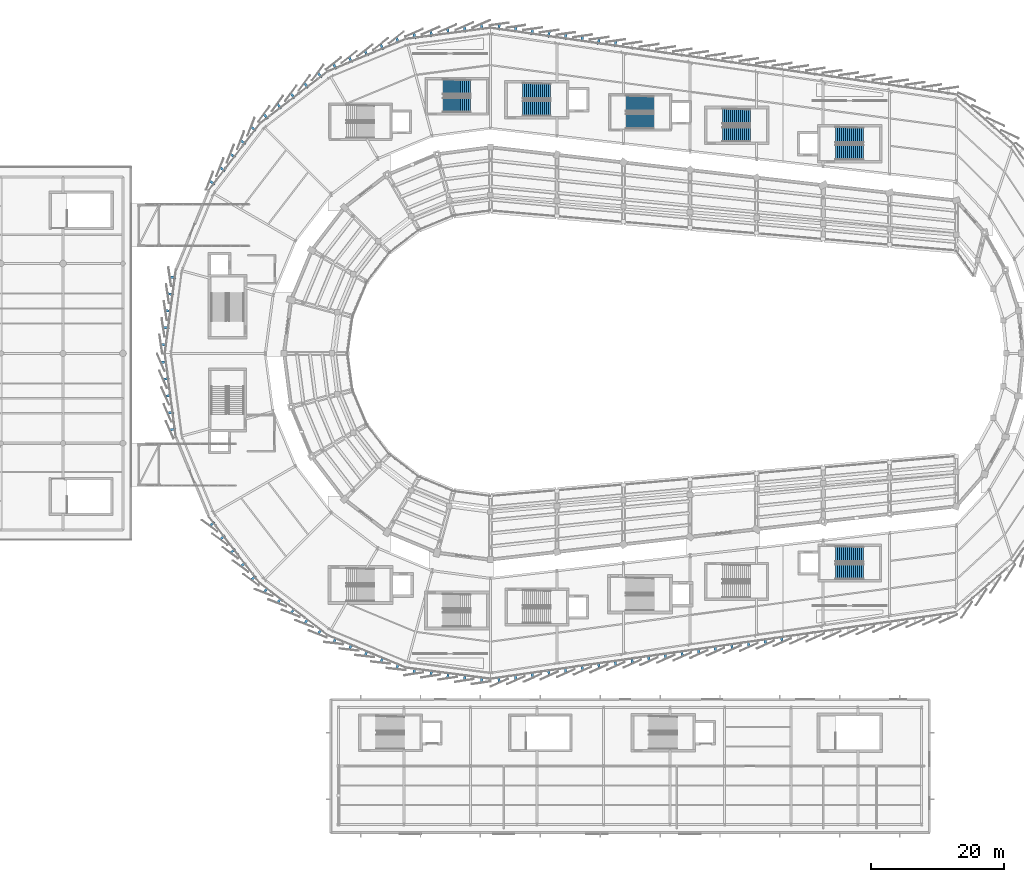
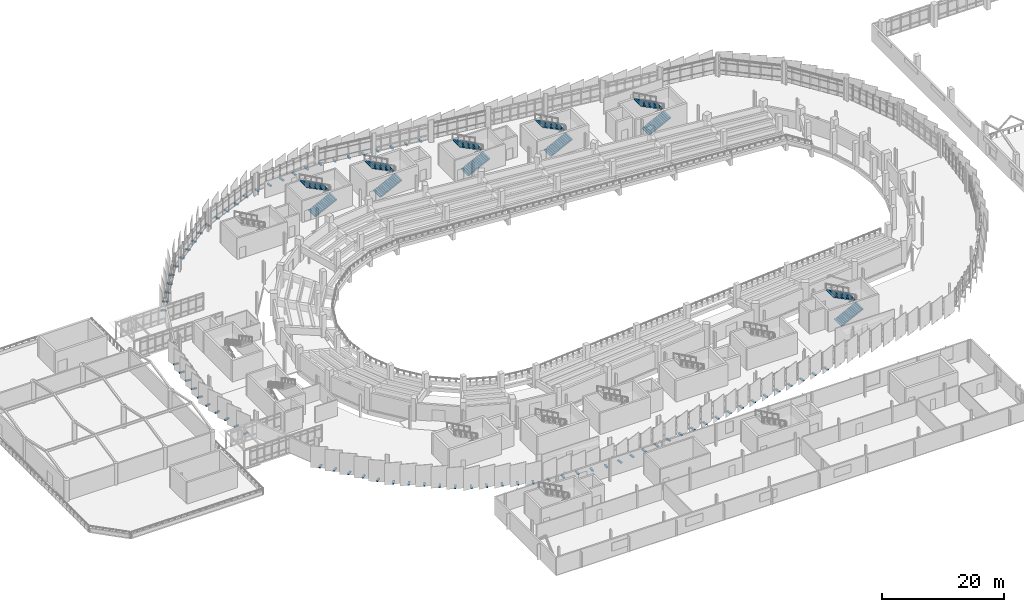
# One storey, part 108 of 120: 76 discrete accessories, 12 stair flights, 6 elements without a shape of their own.
"""IFC4 building model written with IfcOpenShell, lengths in metres."""

from ifc_helpers import new_model, si_unit, direction, frame, origin, origin_2d, place, context, subcontext, project, spatial, polyline, rectangle, outline, extrude, material, type_object, element, aggregate, save


model = new_model("IFC4")

# Units and contexts
model_context = context("Model", 3, precision=1e-05, world=origin(), true_north=direction((0.0, 1.0)))
body_context = subcontext(model_context, "Body", "Model", "MODEL_VIEW")
ifc_project = project(units=[si_unit("LENGTHUNIT", "METRE"), si_unit("AREAUNIT", "SQUARE_METRE"), si_unit("VOLUMEUNIT", "CUBIC_METRE"), si_unit("PLANEANGLEUNIT", "RADIAN"), si_unit("MASSUNIT", "GRAM", prefix="KILO")], contexts=[model_context])

# Site, building, storey
site_placement = place(None, origin())
site = spatial("IfcSite", under=ifc_project, at=site_placement, CompositionType="ELEMENT")
building_placement = place(site_placement, origin())
building = spatial("IfcBuilding", under=site, at=building_placement, Name="Sohan Crest Arena", CompositionType="ELEMENT")
storey_placement = place(building_placement, frame((0.0, 0.0, 13.5)))
storey = spatial("IfcBuildingStorey", under=building, at=storey_placement, Name="L03", CompositionType="ELEMENT", Elevation=13.5)

# Stair, stair flights
ifc_material_1 = material(Name="Concrete C40/50", Category="concrete")
stair_type_1 = type_object("IfcStairType", Name="ST-450W", PredefinedType="TWO_STRAIGHT_RUN_STAIR", material=ifc_material_1)
stair_1_placement = place(storey_placement, origin())
stair_1 = element("IfcStair", 1, at=stair_1_placement, inside=storey, type_object=stair_type_1, Name="Protected exit stair ST20-L03", PredefinedType="TWO_STRAIGHT_RUN_STAIR")
stair_flight_type_1 = type_object("IfcStairFlightType", Name="FL-220-15", PredefinedType="STRAIGHT", material=ifc_material_1)
stair_flight_1_placement = place(storey_placement, frame((90.85009765625, 115.2900390625, 0.0), z_axis=(0.0, 0.0, 1.0), x_axis=(1.0, 0.0, 0.0)))
stair_flight_1 = element("IfcStairFlight", 2, at=stair_flight_1_placement, type_object=stair_flight_type_1, Name="ST20-L03 flight 1", NumberOfRisers=15, NumberOfTreads=14, PredefinedType="STRAIGHT", RiserHeight=0.15, TreadLength=0.3, context=body_context, shape_type="SweptSolid", body=[
    extrude(outline(polyline([(0.0, 0.0), (0.0, 0.14990234375), (0.300048828125, 0.14990234375), (0.300048828125, 0.300048828125), (0.60009765625, 0.300048828125), (0.60009765625, 0.449951171875), (0.89990234375, 0.449951171875), (0.89990234375, 0.60009765625), (1.199951171875, 0.60009765625), (1.199951171875, 0.75), (1.5, 0.75), (1.5, 0.89990234375), (1.800048828125, 0.89990234375), (1.800048828125, 1.050048828125), (2.10009765625, 1.050048828125), (2.10009765625, 1.199951171875), (2.39990234375, 1.199951171875), (2.39990234375, 1.35009765625), (2.699951171875, 1.35009765625), (2.699951171875, 1.5), (3.0, 1.5), (3.0, 1.64990234375), (3.300048828125, 1.64990234375), (3.300048828125, 1.800048828125), (3.60009765625, 1.800048828125), (3.60009765625, 1.949951171875), (3.89990234375, 1.949951171875), (3.89990234375, 2.10009765625), (4.199951171875, 2.10009765625), (4.199951171875, 2.25), (4.199951171875, 1.932373046875), (0.335205078125, 0.0), (0.0, 0.0)])), frame((0.0, 1.10009765625, 0.0), z_axis=(0.0, -1.0, 0.0), x_axis=(1.0, 0.0, 0.0)), (0.0, 0.0, 1.0), 2.199951171875),
])
stair_flight_2_placement = place(storey_placement, frame((95.050048828125, 117.989990234375, 2.25), z_axis=(0.0, 0.0, 1.0), x_axis=(-1.0, 0.0, 0.0)))
stair_flight_2 = element("IfcStairFlight", 3, at=stair_flight_2_placement, type_object=stair_flight_type_1, Name="ST20-L03 flight 2", NumberOfRisers=15, NumberOfTreads=14, PredefinedType="STRAIGHT", RiserHeight=0.15, TreadLength=0.3, context=body_context, shape_type="SweptSolid", body=[
    extrude(outline(polyline([(0.0, 0.0), (0.0, 0.14990234375), (0.300048828125, 0.14990234375), (0.300048828125, 0.300048828125), (0.60009765625, 0.300048828125), (0.60009765625, 0.449951171875), (0.89990234375, 0.449951171875), (0.89990234375, 0.60009765625), (1.199951171875, 0.60009765625), (1.199951171875, 0.75), (1.5, 0.75), (1.5, 0.89990234375), (1.800048828125, 0.89990234375), (1.800048828125, 1.050048828125), (2.10009765625, 1.050048828125), (2.10009765625, 1.199951171875), (2.39990234375, 1.199951171875), (2.39990234375, 1.35009765625), (2.699951171875, 1.35009765625), (2.699951171875, 1.5), (3.0, 1.5), (3.0, 1.64990234375), (3.300048828125, 1.64990234375), (3.300048828125, 1.800048828125), (3.60009765625, 1.800048828125), (3.60009765625, 1.949951171875), (3.89990234375, 1.949951171875), (3.89990234375, 2.10009765625), (4.199951171875, 2.10009765625), (4.199951171875, 2.25), (4.199951171875, 1.932373046875), (0.335205078125, 0.0), (0.0, 0.0)])), frame((0.0, 1.10009765625, 0.0), z_axis=(0.0, -1.0, 0.0), x_axis=(1.0, 0.0, 0.0)), (0.0, 0.0, 1.0), 2.199951171875),
])
aggregate(stair_1, [stair_flight_1, stair_flight_2])

stair_2_placement = place(storey_placement, origin())
stair_2 = element("IfcStair", 4, at=stair_2_placement, inside=storey, type_object=stair_type_1, Name="Protected exit stair ST22-L03", PredefinedType="TWO_STRAIGHT_RUN_STAIR")
stair_flight_3_placement = place(storey_placement, frame((132.85009765625, 110.89990234375, 0.0), z_axis=(0.0, 0.0, 1.0), x_axis=(1.0, 0.0, 0.0)))
stair_flight_3 = element("IfcStairFlight", 5, at=stair_flight_3_placement, type_object=stair_flight_type_1, Name="ST22-L03 flight 1", NumberOfRisers=15, NumberOfTreads=14, PredefinedType="STRAIGHT", RiserHeight=0.15, TreadLength=0.3, context=body_context, shape_type="SweptSolid", body=[
    extrude(outline(polyline([(0.0, 0.0), (0.0, 0.14990234375), (0.300048828125, 0.14990234375), (0.300048828125, 0.300048828125), (0.60009765625, 0.300048828125), (0.60009765625, 0.449951171875), (0.89990234375, 0.449951171875), (0.89990234375, 0.60009765625), (1.199951171875, 0.60009765625), (1.199951171875, 0.75), (1.5, 0.75), (1.5, 0.89990234375), (1.800048828125, 0.89990234375), (1.800048828125, 1.050048828125), (2.10009765625, 1.050048828125), (2.10009765625, 1.199951171875), (2.39990234375, 1.199951171875), (2.39990234375, 1.35009765625), (2.699951171875, 1.35009765625), (2.699951171875, 1.5), (3.0, 1.5), (3.0, 1.64990234375), (3.300048828125, 1.64990234375), (3.300048828125, 1.800048828125), (3.60009765625, 1.800048828125), (3.60009765625, 1.949951171875), (3.89990234375, 1.949951171875), (3.89990234375, 2.10009765625), (4.199951171875, 2.10009765625), (4.199951171875, 2.25), (4.199951171875, 1.932373046875), (0.335205078125, 0.0), (0.0, 0.0)])), frame((0.0, 1.10009765625, 0.0), z_axis=(0.0, -1.0, 0.0), x_axis=(1.0, 0.0, 0.0)), (0.0, 0.0, 1.0), 2.199951171875),
])
stair_flight_4_placement = place(storey_placement, frame((137.050048828125, 113.60009765625, 2.25), z_axis=(0.0, 0.0, 1.0), x_axis=(-1.0, 0.0, 0.0)))
stair_flight_4 = element("IfcStairFlight", 6, at=stair_flight_4_placement, type_object=stair_flight_type_1, Name="ST22-L03 flight 2", NumberOfRisers=15, NumberOfTreads=14, PredefinedType="STRAIGHT", RiserHeight=0.15, TreadLength=0.3, context=body_context, shape_type="SweptSolid", body=[
    extrude(outline(polyline([(0.0, 0.0), (0.0, 0.14990234375), (0.300048828125, 0.14990234375), (0.300048828125, 0.300048828125), (0.60009765625, 0.300048828125), (0.60009765625, 0.449951171875), (0.89990234375, 0.449951171875), (0.89990234375, 0.60009765625), (1.199951171875, 0.60009765625), (1.199951171875, 0.75), (1.5, 0.75), (1.5, 0.89990234375), (1.800048828125, 0.89990234375), (1.800048828125, 1.050048828125), (2.10009765625, 1.050048828125), (2.10009765625, 1.199951171875), (2.39990234375, 1.199951171875), (2.39990234375, 1.35009765625), (2.699951171875, 1.35009765625), (2.699951171875, 1.5), (3.0, 1.5), (3.0, 1.64990234375), (3.300048828125, 1.64990234375), (3.300048828125, 1.800048828125), (3.60009765625, 1.800048828125), (3.60009765625, 1.949951171875), (3.89990234375, 1.949951171875), (3.89990234375, 2.10009765625), (4.199951171875, 2.10009765625), (4.199951171875, 2.25), (4.199951171875, 1.932373046875), (0.335205078125, 0.0), (0.0, 0.0)])), frame((0.0, 1.10009765625, 0.0), z_axis=(0.0, -1.0, 0.0), x_axis=(1.0, 0.0, 0.0)), (0.0, 0.0, 1.0), 2.199951171875),
])
aggregate(stair_2, [stair_flight_3, stair_flight_4])

stair_type_2 = type_object("IfcStairType", Name="ST-450", PredefinedType="TWO_STRAIGHT_RUN_STAIR", material=ifc_material_1)
stair_3_placement = place(storey_placement, origin())
stair_3 = element("IfcStair", 7, at=stair_3_placement, inside=storey, type_object=stair_type_2, Name="Protected exit stair ST06-L03", PredefinedType="TWO_STRAIGHT_RUN_STAIR")
stair_flight_type_2 = type_object("IfcStairFlightType", Name="FL-260-15", PredefinedType="STRAIGHT", material=ifc_material_1)
stair_flight_5_placement = place(storey_placement, frame((102.85009765625, 114.800048828125, 0.0), z_axis=(0.0, 0.0, 1.0), x_axis=(1.0, 0.0, 0.0)))
stair_flight_5 = element("IfcStairFlight", 8, at=stair_flight_5_placement, type_object=stair_flight_type_2, Name="ST06-L03 flight 1", NumberOfRisers=15, NumberOfTreads=14, PredefinedType="STRAIGHT", RiserHeight=0.15, TreadLength=0.3, context=body_context, shape_type="SweptSolid", body=[
    extrude(outline(polyline([(0.0, 0.0), (0.0, 0.14990234375), (0.300048828125, 0.14990234375), (0.300048828125, 0.300048828125), (0.60009765625, 0.300048828125), (0.60009765625, 0.449951171875), (0.89990234375, 0.449951171875), (0.89990234375, 0.60009765625), (1.199951171875, 0.60009765625), (1.199951171875, 0.75), (1.5, 0.75), (1.5, 0.89990234375), (1.800048828125, 0.89990234375), (1.800048828125, 1.050048828125), (2.10009765625, 1.050048828125), (2.10009765625, 1.199951171875), (2.39990234375, 1.199951171875), (2.39990234375, 1.35009765625), (2.699951171875, 1.35009765625), (2.699951171875, 1.5), (3.0, 1.5), (3.0, 1.64990234375), (3.300048828125, 1.64990234375), (3.300048828125, 1.800048828125), (3.60009765625, 1.800048828125), (3.60009765625, 1.949951171875), (3.89990234375, 1.949951171875), (3.89990234375, 2.10009765625), (4.199951171875, 2.10009765625), (4.199951171875, 2.25), (4.199951171875, 1.932373046875), (0.335205078125, 0.0), (0.0, 0.0)])), frame((0.0, 1.14990234375, 0.0), z_axis=(0.0, -1.0, 0.0), x_axis=(1.0, 0.0, 0.0)), (0.0, 0.0, 1.0), 2.300048828125),
])
stair_flight_6_placement = place(storey_placement, frame((107.050048828125, 117.39990234375, 2.25), z_axis=(0.0, 0.0, 1.0), x_axis=(-1.0, 0.0, 0.0)))
stair_flight_6 = element("IfcStairFlight", 9, at=stair_flight_6_placement, type_object=stair_flight_type_2, Name="ST06-L03 flight 2", NumberOfRisers=15, NumberOfTreads=14, PredefinedType="STRAIGHT", RiserHeight=0.15, TreadLength=0.3, context=body_context, shape_type="SweptSolid", body=[
    extrude(outline(polyline([(0.0, 0.0), (0.0, 0.14990234375), (0.300048828125, 0.14990234375), (0.300048828125, 0.300048828125), (0.60009765625, 0.300048828125), (0.60009765625, 0.449951171875), (0.89990234375, 0.449951171875), (0.89990234375, 0.60009765625), (1.199951171875, 0.60009765625), (1.199951171875, 0.75), (1.5, 0.75), (1.5, 0.89990234375), (1.800048828125, 0.89990234375), (1.800048828125, 1.050048828125), (2.10009765625, 1.050048828125), (2.10009765625, 1.199951171875), (2.39990234375, 1.199951171875), (2.39990234375, 1.35009765625), (2.699951171875, 1.35009765625), (2.699951171875, 1.5), (3.0, 1.5), (3.0, 1.64990234375), (3.300048828125, 1.64990234375), (3.300048828125, 1.800048828125), (3.60009765625, 1.800048828125), (3.60009765625, 1.949951171875), (3.89990234375, 1.949951171875), (3.89990234375, 2.10009765625), (4.199951171875, 2.10009765625), (4.199951171875, 2.25), (4.199951171875, 1.932373046875), (0.335205078125, 0.0), (0.0, 0.0)])), frame((0.0, 1.14990234375, 0.0), z_axis=(0.0, -1.0, 0.0), x_axis=(1.0, 0.0, 0.0)), (0.0, 0.0, 1.0), 2.300048828125),
])
aggregate(stair_3, [stair_flight_5, stair_flight_6])

stair_4_placement = place(storey_placement, origin())
stair_4 = element("IfcStair", 10, at=stair_4_placement, inside=storey, type_object=stair_type_2, Name="Protected exit stair ST08-L03", PredefinedType="TWO_STRAIGHT_RUN_STAIR")
stair_flight_7_placement = place(storey_placement, frame((118.35009765625, 112.89990234375, 0.0), z_axis=(0.0, 0.0, 1.0), x_axis=(1.0, 0.0, 0.0)))
stair_flight_7 = element("IfcStairFlight", 11, at=stair_flight_7_placement, type_object=stair_flight_type_2, Name="ST08-L03 flight 1", NumberOfRisers=15, NumberOfTreads=14, PredefinedType="STRAIGHT", RiserHeight=0.15, TreadLength=0.3, context=body_context, shape_type="SweptSolid", body=[
    extrude(outline(polyline([(0.0, 0.0), (0.0, 0.14990234375), (0.300048828125, 0.14990234375), (0.300048828125, 0.300048828125), (0.60009765625, 0.300048828125), (0.60009765625, 0.449951171875), (0.89990234375, 0.449951171875), (0.89990234375, 0.60009765625), (1.199951171875, 0.60009765625), (1.199951171875, 0.75), (1.5, 0.75), (1.5, 0.89990234375), (1.800048828125, 0.89990234375), (1.800048828125, 1.050048828125), (2.10009765625, 1.050048828125), (2.10009765625, 1.199951171875), (2.39990234375, 1.199951171875), (2.39990234375, 1.35009765625), (2.699951171875, 1.35009765625), (2.699951171875, 1.5), (3.0, 1.5), (3.0, 1.64990234375), (3.300048828125, 1.64990234375), (3.300048828125, 1.800048828125), (3.60009765625, 1.800048828125), (3.60009765625, 1.949951171875), (3.89990234375, 1.949951171875), (3.89990234375, 2.10009765625), (4.199951171875, 2.10009765625), (4.199951171875, 2.25), (4.199951171875, 1.932373046875), (0.335205078125, 0.0), (0.0, 0.0)])), frame((0.0, 1.14990234375, 0.0), z_axis=(0.0, -1.0, 0.0), x_axis=(1.0, 0.0, 0.0)), (0.0, 0.0, 1.0), 2.300048828125),
])
stair_flight_8_placement = place(storey_placement, frame((122.550048828125, 115.5, 2.25), z_axis=(0.0, 0.0, 1.0), x_axis=(-1.0, 0.0, 0.0)))
stair_flight_8 = element("IfcStairFlight", 12, at=stair_flight_8_placement, type_object=stair_flight_type_2, Name="ST08-L03 flight 2", NumberOfRisers=15, NumberOfTreads=14, PredefinedType="STRAIGHT", RiserHeight=0.15, TreadLength=0.3, context=body_context, shape_type="SweptSolid", body=[
    extrude(outline(polyline([(0.0, 0.0), (0.0, 0.14990234375), (0.300048828125, 0.14990234375), (0.300048828125, 0.300048828125), (0.60009765625, 0.300048828125), (0.60009765625, 0.449951171875), (0.89990234375, 0.449951171875), (0.89990234375, 0.60009765625), (1.199951171875, 0.60009765625), (1.199951171875, 0.75), (1.5, 0.75), (1.5, 0.89990234375), (1.800048828125, 0.89990234375), (1.800048828125, 1.050048828125), (2.10009765625, 1.050048828125), (2.10009765625, 1.199951171875), (2.39990234375, 1.199951171875), (2.39990234375, 1.35009765625), (2.699951171875, 1.35009765625), (2.699951171875, 1.5), (3.0, 1.5), (3.0, 1.64990234375), (3.300048828125, 1.64990234375), (3.300048828125, 1.800048828125), (3.60009765625, 1.800048828125), (3.60009765625, 1.949951171875), (3.89990234375, 1.949951171875), (3.89990234375, 2.10009765625), (4.199951171875, 2.10009765625), (4.199951171875, 2.25), (4.199951171875, 1.932373046875), (0.335205078125, 0.0), (0.0, 0.0)])), frame((0.0, 1.14990234375, 0.0), z_axis=(0.0, -1.0, 0.0), x_axis=(1.0, 0.0, 0.0)), (0.0, 0.0, 1.0), 2.300048828125),
])
aggregate(stair_4, [stair_flight_7, stair_flight_8])

stair_5_placement = place(storey_placement, origin())
stair_5 = element("IfcStair", 13, at=stair_5_placement, inside=storey, type_object=stair_type_2, Name="Protected exit stair ST09-L03", PredefinedType="TWO_STRAIGHT_RUN_STAIR")
stair_flight_9_placement = place(storey_placement, frame((149.85009765625, 45.199951171875, 0.0), z_axis=(0.0, 0.0, 1.0), x_axis=(1.0, 0.0, 0.0)))
stair_flight_9 = element("IfcStairFlight", 14, at=stair_flight_9_placement, type_object=stair_flight_type_2, Name="ST09-L03 flight 1", NumberOfRisers=15, NumberOfTreads=14, PredefinedType="STRAIGHT", RiserHeight=0.15, TreadLength=0.3, context=body_context, shape_type="SweptSolid", body=[
    extrude(outline(polyline([(0.0, 0.0), (0.0, 0.14990234375), (0.300048828125, 0.14990234375), (0.300048828125, 0.300048828125), (0.60009765625, 0.300048828125), (0.60009765625, 0.449951171875), (0.89990234375, 0.449951171875), (0.89990234375, 0.60009765625), (1.199951171875, 0.60009765625), (1.199951171875, 0.75), (1.5, 0.75), (1.5, 0.89990234375), (1.800048828125, 0.89990234375), (1.800048828125, 1.050048828125), (2.10009765625, 1.050048828125), (2.10009765625, 1.199951171875), (2.39990234375, 1.199951171875), (2.39990234375, 1.35009765625), (2.699951171875, 1.35009765625), (2.699951171875, 1.5), (3.0, 1.5), (3.0, 1.64990234375), (3.300048828125, 1.64990234375), (3.300048828125, 1.800048828125), (3.60009765625, 1.800048828125), (3.60009765625, 1.949951171875), (3.89990234375, 1.949951171875), (3.89990234375, 2.10009765625), (4.199951171875, 2.10009765625), (4.199951171875, 2.25), (4.199951171875, 1.932373046875), (0.335205078125, 0.0), (0.0, 0.0)])), frame((0.0, 1.14990234375, 0.0), z_axis=(0.0, -1.0, 0.0), x_axis=(1.0, 0.0, 0.0)), (0.0, 0.0, 1.0), 2.300048828125),
])
stair_flight_10_placement = place(storey_placement, frame((154.050048828125, 47.800048828125, 2.25), z_axis=(0.0, 0.0, 1.0), x_axis=(-1.0, 0.0, 0.0)))
stair_flight_10 = element("IfcStairFlight", 15, at=stair_flight_10_placement, type_object=stair_flight_type_2, Name="ST09-L03 flight 2", NumberOfRisers=15, NumberOfTreads=14, PredefinedType="STRAIGHT", RiserHeight=0.15, TreadLength=0.3, context=body_context, shape_type="SweptSolid", body=[
    extrude(outline(polyline([(0.0, 0.0), (0.0, 0.14990234375), (0.300048828125, 0.14990234375), (0.300048828125, 0.300048828125), (0.60009765625, 0.300048828125), (0.60009765625, 0.449951171875), (0.89990234375, 0.449951171875), (0.89990234375, 0.60009765625), (1.199951171875, 0.60009765625), (1.199951171875, 0.75), (1.5, 0.75), (1.5, 0.89990234375), (1.800048828125, 0.89990234375), (1.800048828125, 1.050048828125), (2.10009765625, 1.050048828125), (2.10009765625, 1.199951171875), (2.39990234375, 1.199951171875), (2.39990234375, 1.35009765625), (2.699951171875, 1.35009765625), (2.699951171875, 1.5), (3.0, 1.5), (3.0, 1.64990234375), (3.300048828125, 1.64990234375), (3.300048828125, 1.800048828125), (3.60009765625, 1.800048828125), (3.60009765625, 1.949951171875), (3.89990234375, 1.949951171875), (3.89990234375, 2.10009765625), (4.199951171875, 2.10009765625), (4.199951171875, 2.25), (4.199951171875, 1.932373046875), (0.335205078125, 0.0), (0.0, 0.0)])), frame((0.0, 1.14990234375, 0.0), z_axis=(0.0, -1.0, 0.0), x_axis=(1.0, 0.0, 0.0)), (0.0, 0.0, 1.0), 2.300048828125),
])
aggregate(stair_5, [stair_flight_9, stair_flight_10])

stair_6_placement = place(storey_placement, origin())
stair_6 = element("IfcStair", 16, at=stair_6_placement, inside=storey, type_object=stair_type_2, Name="Protected exit stair ST10-L03", PredefinedType="TWO_STRAIGHT_RUN_STAIR")
stair_flight_11_placement = place(storey_placement, frame((149.85009765625, 108.199951171875, 0.0), z_axis=(0.0, 0.0, 1.0), x_axis=(1.0, 0.0, 0.0)))
stair_flight_11 = element("IfcStairFlight", 17, at=stair_flight_11_placement, type_object=stair_flight_type_2, Name="ST10-L03 flight 1", NumberOfRisers=15, NumberOfTreads=14, PredefinedType="STRAIGHT", RiserHeight=0.15, TreadLength=0.3, context=body_context, shape_type="SweptSolid", body=[
    extrude(outline(polyline([(0.0, 0.0), (0.0, 0.14990234375), (0.300048828125, 0.14990234375), (0.300048828125, 0.300048828125), (0.60009765625, 0.300048828125), (0.60009765625, 0.449951171875), (0.89990234375, 0.449951171875), (0.89990234375, 0.60009765625), (1.199951171875, 0.60009765625), (1.199951171875, 0.75), (1.5, 0.75), (1.5, 0.89990234375), (1.800048828125, 0.89990234375), (1.800048828125, 1.050048828125), (2.10009765625, 1.050048828125), (2.10009765625, 1.199951171875), (2.39990234375, 1.199951171875), (2.39990234375, 1.35009765625), (2.699951171875, 1.35009765625), (2.699951171875, 1.5), (3.0, 1.5), (3.0, 1.64990234375), (3.300048828125, 1.64990234375), (3.300048828125, 1.800048828125), (3.60009765625, 1.800048828125), (3.60009765625, 1.949951171875), (3.89990234375, 1.949951171875), (3.89990234375, 2.10009765625), (4.199951171875, 2.10009765625), (4.199951171875, 2.25), (4.199951171875, 1.932373046875), (0.335205078125, 0.0), (0.0, 0.0)])), frame((0.0, 1.14990234375, 0.0), z_axis=(0.0, -1.0, 0.0), x_axis=(1.0, 0.0, 0.0)), (0.0, 0.0, 1.0), 2.300048828125),
])
stair_flight_12_placement = place(storey_placement, frame((154.050048828125, 110.800048828125, 2.25), z_axis=(0.0, 0.0, 1.0), x_axis=(-1.0, 0.0, 0.0)))
stair_flight_12 = element("IfcStairFlight", 18, at=stair_flight_12_placement, type_object=stair_flight_type_2, Name="ST10-L03 flight 2", NumberOfRisers=15, NumberOfTreads=14, PredefinedType="STRAIGHT", RiserHeight=0.15, TreadLength=0.3, context=body_context, shape_type="SweptSolid", body=[
    extrude(outline(polyline([(0.0, 0.0), (0.0, 0.14990234375), (0.300048828125, 0.14990234375), (0.300048828125, 0.300048828125), (0.60009765625, 0.300048828125), (0.60009765625, 0.449951171875), (0.89990234375, 0.449951171875), (0.89990234375, 0.60009765625), (1.199951171875, 0.60009765625), (1.199951171875, 0.75), (1.5, 0.75), (1.5, 0.89990234375), (1.800048828125, 0.89990234375), (1.800048828125, 1.050048828125), (2.10009765625, 1.050048828125), (2.10009765625, 1.199951171875), (2.39990234375, 1.199951171875), (2.39990234375, 1.35009765625), (2.699951171875, 1.35009765625), (2.699951171875, 1.5), (3.0, 1.5), (3.0, 1.64990234375), (3.300048828125, 1.64990234375), (3.300048828125, 1.800048828125), (3.60009765625, 1.800048828125), (3.60009765625, 1.949951171875), (3.89990234375, 1.949951171875), (3.89990234375, 2.10009765625), (4.199951171875, 2.10009765625), (4.199951171875, 2.25), (4.199951171875, 1.932373046875), (0.335205078125, 0.0), (0.0, 0.0)])), frame((0.0, 1.14990234375, 0.0), z_axis=(0.0, -1.0, 0.0), x_axis=(1.0, 0.0, 0.0)), (0.0, 0.0, 1.0), 2.300048828125),
])
aggregate(stair_6, [stair_flight_11, stair_flight_12])

# Discrete accessories
ifc_material_2 = material(Name="Steel S355", Category="steel")
discrete_accessory_type = type_object("IfcDiscreteAccessoryType", Name="ARC-ACC-BRK1", PredefinedType="BRACKET", material=ifc_material_2)
for number, where, z_axis, x_axis, name in (
    (19, (96.693115234375, 127.051025390625, -0.22998046875), (0.0, 0.0, 1.0), (-0.991444861374, -0.13052619222, 0.0), "Ceramic scale carrier bracket BRK-0261"),
    (20, (94.160888671875, 126.717041015625, -0.22998046875), (0.0, 0.0, 1.0), (-0.991444861374, -0.13052619222, 0.0), "Ceramic scale carrier bracket BRK-0262"),
    (21, (91.6298828125, 126.384033203125, -0.22998046875), (0.0, 0.0, 1.0), (-0.991444861374, -0.13052619222, 0.0), "Ceramic scale carrier bracket BRK-0263"),
    (22, (89.09912109375, 126.051025390625, -0.22998046875), (0.0, 0.0, 1.0), (-0.991444861374, -0.13052619222, 0.0), "Ceramic scale carrier bracket BRK-0264"),
    (23, (86.568115234375, 125.718017578125, -0.22998046875), (0.0, 0.0, 1.0), (-0.991444861374, -0.13052619222, 0.0), "Ceramic scale carrier bracket BRK-0265"),
    (24, (84.0419921875, 125.041015625, -0.22998046875), (0.0, 0.0, 1.0), (-0.923879532511, -0.382683432365, 0.0), "Ceramic scale carrier bracket BRK-0266"),
    (25, (81.68310546875, 124.06396484375, -0.22998046875), (0.0, 0.0, 1.0), (-0.923879532511, -0.382683432365, 0.0), "Ceramic scale carrier bracket BRK-0267"),
    (26, (79.324951171875, 123.0869140625, -0.22998046875), (0.0, 0.0, 1.0), (-0.923879532511, -0.382683432365, 0.0), "Ceramic scale carrier bracket BRK-0268"),
    (27, (76.966064453125, 122.110107421875, -0.22998046875), (0.0, 0.0, 1.0), (-0.923879532511, -0.382683432365, 0.0), "Ceramic scale carrier bracket BRK-0269"),
    (28, (74.60693359375, 121.133056640625, -0.22998046875), (0.0, 0.0, 1.0), (-0.923879532511, -0.382683432365, 0.0), "Ceramic scale carrier bracket BRK-0270"),
    (29, (72.342041015625, 119.825927734375, -0.22998046875), (0.0, 0.0, 1.0), (-0.793353340291, -0.608761429009, 0.0), "Ceramic scale carrier bracket BRK-0271"),
    (30, (70.31689453125, 118.27197265625, -0.22998046875), (0.0, 0.0, 1.0), (-0.793353340291, -0.608761429009, 0.0), "Ceramic scale carrier bracket BRK-0272"),
    (31, (68.291015625, 116.717041015625, -0.22998046875), (0.0, 0.0, 1.0), (-0.793353340291, -0.608761429009, 0.0), "Ceramic scale carrier bracket BRK-0273"),
    (32, (66.26611328125, 115.1630859375, -0.22998046875), (0.0, 0.0, 1.0), (-0.793353340291, -0.608761429009, 0.0), "Ceramic scale carrier bracket BRK-0274"),
    (33, (64.239990234375, 113.60888671875, -0.22998046875), (0.0, 0.0, 1.0), (-0.793353340291, -0.608761429009, 0.0), "Ceramic scale carrier bracket BRK-0275"),
    (34, (62.39111328125, 111.760009765625, -0.22998046875), (0.0, 0.0, 1.0), (-0.608761429009, -0.793353340291, 0.0), "Ceramic scale carrier bracket BRK-0276"),
    (35, (60.8369140625, 109.73388671875, -0.22998046875), (0.0, 0.0, 1.0), (-0.608761429009, -0.793353340291, 0.0), "Ceramic scale carrier bracket BRK-0277"),
    (36, (59.282958984375, 107.708984375, -0.22998046875), (0.0, 0.0, 1.0), (-0.608761429009, -0.793353340291, 0.0), "Ceramic scale carrier bracket BRK-0278"),
    (37, (57.72802734375, 105.68310546875, -0.22998046875), (0.0, 0.0, 1.0), (-0.608761429009, -0.793353340291, 0.0), "Ceramic scale carrier bracket BRK-0279"),
    (38, (56.174072265625, 103.657958984375, -0.22998046875), (0.0, 0.0, 1.0), (-0.608761429009, -0.793353340291, 0.0), "Ceramic scale carrier bracket BRK-0280"),
    (39, (50.281982421875, 89.431884765625, -0.22998046875), (0.0, 0.0, 1.0), (-0.13052619222, -0.991444861374, 0.0), "Ceramic scale carrier bracket BRK-0281"),
    (40, (49.948974609375, 86.90087890625, -0.22998046875), (0.0, 0.0, 1.0), (-0.13052619222, -0.991444861374, 0.0), "Ceramic scale carrier bracket BRK-0282"),
    (41, (49.615966796875, 84.3701171875, -0.22998046875), (0.0, 0.0, 1.0), (-0.13052619222, -0.991444861374, 0.0), "Ceramic scale carrier bracket BRK-0283"),
    (42, (49.282958984375, 81.839111328125, -0.22998046875), (0.0, 0.0, 1.0), (-0.13052619222, -0.991444861374, 0.0), "Ceramic scale carrier bracket BRK-0284"),
    (43, (48.948974609375, 79.306884765625, -0.22998046875), (0.0, 0.0, 1.0), (-0.13052619222, -0.991444861374, 0.0), "Ceramic scale carrier bracket BRK-0285"),
    (44, (48.948974609375, 76.693115234375, -0.22998046875), (0.0, 0.0, 1.0), (0.13052619222, -0.991444861374, 0.0), "Ceramic scale carrier bracket BRK-0286"),
    (45, (49.282958984375, 74.160888671875, -0.22998046875), (0.0, 0.0, 1.0), (0.13052619222, -0.991444861374, 0.0), "Ceramic scale carrier bracket BRK-0287"),
    (46, (49.615966796875, 71.6298828125, -0.22998046875), (0.0, 0.0, 1.0), (0.13052619222, -0.991444861374, 0.0), "Ceramic scale carrier bracket BRK-0288"),
    (47, (49.948974609375, 69.09912109375, -0.22998046875), (0.0, 0.0, 1.0), (0.13052619222, -0.991444861374, 0.0), "Ceramic scale carrier bracket BRK-0289"),
    (48, (50.281982421875, 66.568115234375, -0.22998046875), (0.0, 0.0, 1.0), (0.13052619222, -0.991444861374, 0.0), "Ceramic scale carrier bracket BRK-0290"),
    (49, (56.174072265625, 52.342041015625, -0.22998046875), (0.0, 0.0, 1.0), (0.608761429009, -0.793353340291, 0.0), "Ceramic scale carrier bracket BRK-0291"),
    (50, (57.72802734375, 50.31689453125, -0.22998046875), (0.0, 0.0, 1.0), (0.608761429009, -0.793353340291, 0.0), "Ceramic scale carrier bracket BRK-0292"),
    (51, (59.282958984375, 48.291015625, -0.22998046875), (0.0, 0.0, 1.0), (0.608761429009, -0.793353340291, 0.0), "Ceramic scale carrier bracket BRK-0293"),
    (52, (60.8369140625, 46.26611328125, -0.22998046875), (0.0, 0.0, 1.0), (0.608761429009, -0.793353340291, 0.0), "Ceramic scale carrier bracket BRK-0294"),
    (53, (62.39111328125, 44.239990234375, -0.22998046875), (0.0, 0.0, 1.0), (0.608761429009, -0.793353340291, 0.0), "Ceramic scale carrier bracket BRK-0295"),
    (54, (64.239990234375, 42.39111328125, -0.22998046875), (0.0, 0.0, 1.0), (0.793353340291, -0.608761429009, 0.0), "Ceramic scale carrier bracket BRK-0296"),
    (55, (66.26611328125, 40.8369140625, -0.22998046875), (0.0, 0.0, 1.0), (0.793353340291, -0.608761429009, 0.0), "Ceramic scale carrier bracket BRK-0297"),
    (56, (68.291015625, 39.282958984375, -0.22998046875), (0.0, 0.0, 1.0), (0.793353340291, -0.608761429009, 0.0), "Ceramic scale carrier bracket BRK-0298"),
    (57, (70.31689453125, 37.72802734375, -0.22998046875), (0.0, 0.0, 1.0), (0.793353340291, -0.608761429009, 0.0), "Ceramic scale carrier bracket BRK-0299"),
    (58, (72.342041015625, 36.174072265625, -0.22998046875), (0.0, 0.0, 1.0), (0.793353340291, -0.608761429009, 0.0), "Ceramic scale carrier bracket BRK-0300"),
    (59, (74.60693359375, 34.866943359375, -0.22998046875), (0.0, 0.0, 1.0), (0.923879532511, -0.382683432365, 0.0), "Ceramic scale carrier bracket BRK-0301"),
    (60, (76.966064453125, 33.889892578125, -0.22998046875), (0.0, 0.0, 1.0), (0.923879532511, -0.382683432365, 0.0), "Ceramic scale carrier bracket BRK-0302"),
    (61, (79.324951171875, 32.9130859375, -0.22998046875), (0.0, 0.0, 1.0), (0.923879532511, -0.382683432365, 0.0), "Ceramic scale carrier bracket BRK-0303"),
    (62, (81.68310546875, 31.93603515625, -0.22998046875), (0.0, 0.0, 1.0), (0.923879532511, -0.382683432365, 0.0), "Ceramic scale carrier bracket BRK-0304"),
    (63, (84.0419921875, 30.958984375, -0.22998046875), (0.0, 0.0, 1.0), (0.923879532511, -0.382683432365, 0.0), "Ceramic scale carrier bracket BRK-0305"),
    (64, (86.568115234375, 30.281982421875, -0.22998046875), (0.0, 0.0, 1.0), (0.991444861374, -0.13052619222, 0.0), "Ceramic scale carrier bracket BRK-0306"),
    (65, (89.09912109375, 29.948974609375, -0.22998046875), (0.0, 0.0, 1.0), (0.991444861374, -0.13052619222, 0.0), "Ceramic scale carrier bracket BRK-0307"),
    (66, (91.6298828125, 29.615966796875, -0.22998046875), (0.0, 0.0, 1.0), (0.991444861374, -0.13052619222, 0.0), "Ceramic scale carrier bracket BRK-0308"),
    (67, (94.160888671875, 29.282958984375, -0.22998046875), (0.0, 0.0, 1.0), (0.991444861374, -0.13052619222, 0.0), "Ceramic scale carrier bracket BRK-0309"),
    (68, (96.693115234375, 28.948974609375, -0.22998046875), (0.0, 0.0, 1.0), (0.991444861374, -0.13052619222, 0.0), "Ceramic scale carrier bracket BRK-0310"),
    (69, (99.294921875, 28.9619140625, -0.22998046875), (0.0, 0.0, 1.0), (0.990023657717, 0.140901231938, 0.0), "Ceramic scale carrier bracket BRK-0311"),
    (70, (101.794921875, 29.319091796875, -0.22998046875), (0.0, 0.0, 1.0), (0.990023657717, 0.140901231938, 0.0), "Ceramic scale carrier bracket BRK-0312"),
    (71, (104.294921875, 29.676025390625, -0.22998046875), (0.0, 0.0, 1.0), (0.990023657717, 0.140901231938, 0.0), "Ceramic scale carrier bracket BRK-0313"),
    (72, (106.794921875, 30.033935546875, -0.22998046875), (0.0, 0.0, 1.0), (0.990023657717, 0.140901231938, 0.0), "Ceramic scale carrier bracket BRK-0314"),
    (73, (109.294921875, 30.39111328125, -0.22998046875), (0.0, 0.0, 1.0), (0.990023657717, 0.140901231938, 0.0), "Ceramic scale carrier bracket BRK-0315"),
    (74, (111.794921875, 30.748046875, -0.22998046875), (0.0, 0.0, 1.0), (0.990023657717, 0.140901231938, 0.0), "Ceramic scale carrier bracket BRK-0316"),
    (75, (114.294921875, 31.10498046875, -0.22998046875), (0.0, 0.0, 1.0), (0.990023657717, 0.140901231938, 0.0), "Ceramic scale carrier bracket BRK-0317"),
    (76, (116.794921875, 31.4619140625, -0.22998046875), (0.0, 0.0, 1.0), (0.990023657717, 0.140901231938, 0.0), "Ceramic scale carrier bracket BRK-0318"),
    (77, (119.294921875, 31.819091796875, -0.22998046875), (0.0, 0.0, 1.0), (0.990023657717, 0.140901231938, 0.0), "Ceramic scale carrier bracket BRK-0319"),
    (78, (121.794921875, 32.176025390625, -0.22998046875), (0.0, 0.0, 1.0), (0.990023657717, 0.140901231938, 0.0), "Ceramic scale carrier bracket BRK-0320"),
    (79, (124.294921875, 32.532958984375, -0.22998046875), (0.0, 0.0, 1.0), (0.990023657717, 0.140901231938, 0.0), "Ceramic scale carrier bracket BRK-0321"),
    (80, (126.794921875, 32.89111328125, -0.22998046875), (0.0, 0.0, 1.0), (0.990023657717, 0.140901231938, 0.0), "Ceramic scale carrier bracket BRK-0322"),
    (81, (129.294921875, 33.248046875, -0.22998046875), (0.0, 0.0, 1.0), (0.990023657717, 0.140901231938, 0.0), "Ceramic scale carrier bracket BRK-0323"),
    (82, (131.794921875, 33.60498046875, -0.22998046875), (0.0, 0.0, 1.0), (0.990023657717, 0.140901231938, 0.0), "Ceramic scale carrier bracket BRK-0324"),
    (83, (134.294921875, 33.9619140625, -0.22998046875), (0.0, 0.0, 1.0), (0.990023657717, 0.140901231938, 0.0), "Ceramic scale carrier bracket BRK-0325"),
    (84, (136.794921875, 34.319091796875, -0.22998046875), (0.0, 0.0, 1.0), (0.990023657717, 0.140901231938, 0.0), "Ceramic scale carrier bracket BRK-0326"),
    (85, (139.294921875, 34.676025390625, -0.22998046875), (0.0, 0.0, 1.0), (0.990023657717, 0.140901231938, 0.0), "Ceramic scale carrier bracket BRK-0327"),
    (86, (141.794921875, 35.032958984375, -0.22998046875), (0.0, 0.0, 1.0), (0.990023657717, 0.140901231938, 0.0), "Ceramic scale carrier bracket BRK-0328"),
    (87, (116.794921875, 124.5380859375, -0.22998046875), (0.0, 0.0, 1.0), (-0.990023657717, 0.140901231938, 0.0), "Ceramic scale carrier bracket BRK-0391"),
    (88, (114.294921875, 124.89501953125, -0.22998046875), (0.0, 0.0, 1.0), (-0.990023657717, 0.140901231938, 0.0), "Ceramic scale carrier bracket BRK-0392"),
    (89, (111.794921875, 125.251953125, -0.22998046875), (0.0, 0.0, 1.0), (-0.990023657717, 0.140901231938, 0.0), "Ceramic scale carrier bracket BRK-0393"),
    (90, (109.294921875, 125.60888671875, -0.22998046875), (0.0, 0.0, 1.0), (-0.990023657717, 0.140901231938, 0.0), "Ceramic scale carrier bracket BRK-0394"),
    (91, (106.794921875, 125.966064453125, -0.22998046875), (0.0, 0.0, 1.0), (-0.990023657717, 0.140901231938, 0.0), "Ceramic scale carrier bracket BRK-0395"),
    (92, (104.294921875, 126.323974609375, -0.22998046875), (0.0, 0.0, 1.0), (-0.990023657717, 0.140901231938, 0.0), "Ceramic scale carrier bracket BRK-0396"),
    (93, (101.794921875, 126.680908203125, -0.22998046875), (0.0, 0.0, 1.0), (-0.990023657717, 0.140901231938, 0.0), "Ceramic scale carrier bracket BRK-0397"),
    (94, (99.294921875, 127.0380859375, -0.22998046875), (0.0, 0.0, 1.0), (-0.990023657717, 0.140901231938, 0.0), "Ceramic scale carrier bracket BRK-0398"),
):
    element("IfcDiscreteAccessory", number, at=place(storey_placement, frame(where, z_axis=z_axis, x_axis=x_axis)), inside=storey, type_object=discrete_accessory_type, Name=name, PredefinedType="BRACKET", context=body_context, shape_type="SweptSolid", body=[
        extrude(rectangle(XDim=0.35009765625, YDim=0.9599609375, at=origin_2d()), origin(), (0.0, 0.0, 1.0), 0.219970703125),
    ])

save(model, "model.ifc")
